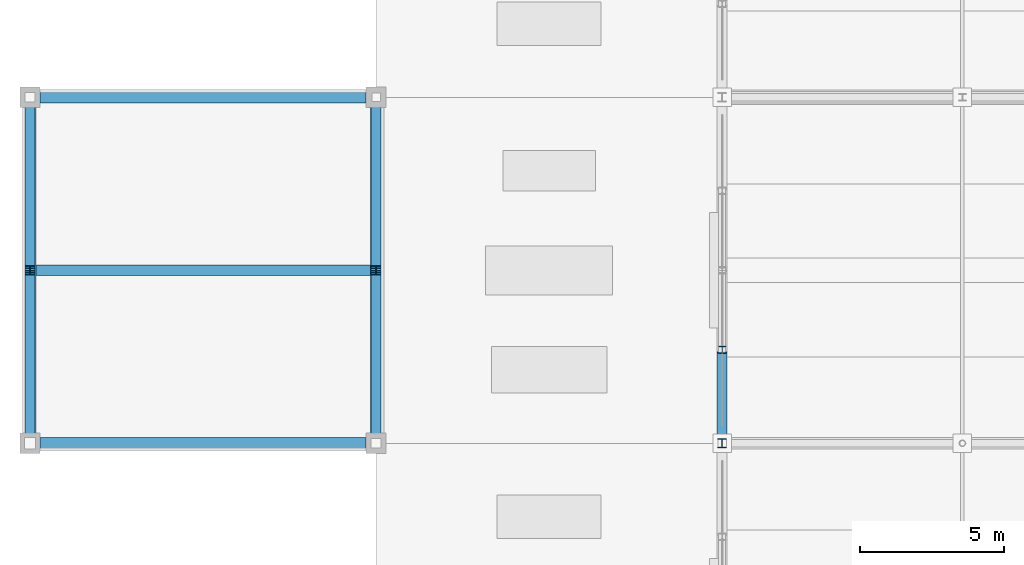
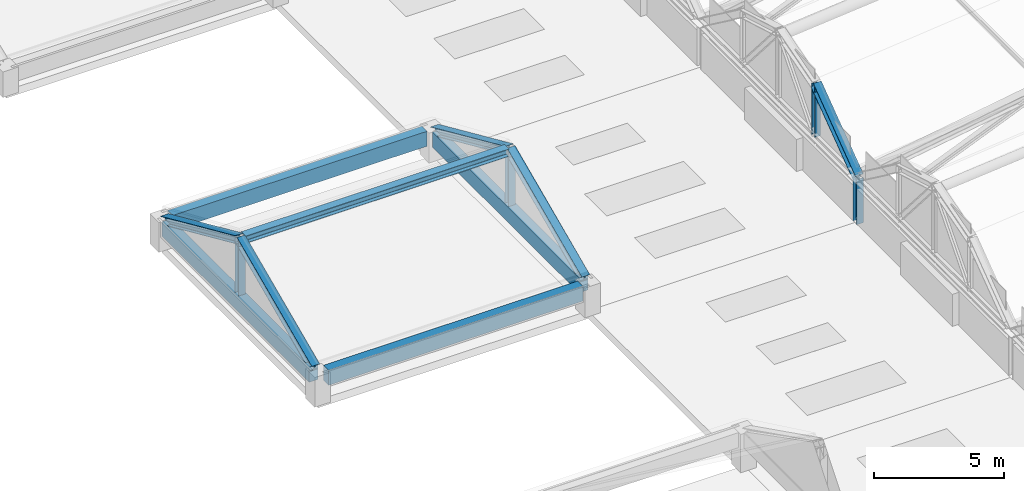
# One storey, part 36 of 117: 10 members, 4 beams.
"""IFC4 building model written with IfcOpenShell, lengths in metres."""

from ifc_helpers import new_model, si_unit, direction, frame, origin, origin_2d, place, context, subcontext, project, spatial, rectangle, i_section, extrude, material, material_profile, profile_set, type_object, element, save


model = new_model("IFC4")

# Units and contexts
model_context = context("Model", 3, precision=1e-05, world=origin(), true_north=direction((0.0, 1.0)))
body_context = subcontext(model_context, "Body", "Model", "MODEL_VIEW")
ifc_project = project(units=[si_unit("LENGTHUNIT", "METRE"), si_unit("AREAUNIT", "SQUARE_METRE"), si_unit("VOLUMEUNIT", "CUBIC_METRE"), si_unit("PLANEANGLEUNIT", "RADIAN"), si_unit("MASSUNIT", "GRAM", prefix="KILO")], contexts=[model_context])

# Site, building, storey
site_placement = place(None, origin())
site = spatial("IfcSite", under=ifc_project, at=site_placement, CompositionType="ELEMENT")
building_placement = place(site_placement, origin())
building = spatial("IfcBuilding", under=site, at=building_placement, Name="Kazenohara Klinker Stadium", CompositionType="ELEMENT")
storey_placement = place(building_placement, frame((0.0, 0.0, 31.199951171875)))
storey = spatial("IfcBuildingStorey", under=building, at=storey_placement, Name="RF", CompositionType="ELEMENT", Elevation=31.199951171875)

# Beams
ifc_material_1 = material(Name="Concrete C40/50", Category="concrete")
ifc_material_profile_1 = material_profile(ifc_material_1, rectangle(XDim=0.39990234375, YDim=0.699951171875, at=origin_2d()), Name="RC-BM-400x700")
ifc_profile_set_1 = profile_set([ifc_material_profile_1], Name="Concrete C40/50")
beam_type = type_object("IfcBeamType", Name="BM-RC04", PredefinedType="BEAM", material=ifc_profile_set_1)
for number, where, z_axis, x_axis, name in (
    (1, (0.35009765625, 108.0, 1.050048828125), (1.0, 0.0, 0.0), (0.0, 1.0, 0.0), "Turret crown eave girder BG04 RF X0-9"),
    (2, (0.35009765625, 120.0, 1.050048828125), (1.0, 0.0, 0.0), (0.0, 1.0, 0.0), "Turret crown eave girder BG04 RF X0-10"),
    (3, (0.0, 108.35009765625, 1.050048828125), (0.0, 1.0, 0.0), (-1.0, 0.0, 0.0), "Turret crown eave girder BG04 RF Y0-9"),
    (4, (12.0, 108.35009765625, 1.050048828125), (0.0, 1.0, 0.0), (-1.0, 0.0, 0.0), "Turret crown eave girder BG04 RF Y1-9"),
):
    element("IfcBeam", number, at=place(storey_placement, frame(where, z_axis=z_axis, x_axis=x_axis)), inside=storey, type_object=beam_type, Name=name, PredefinedType="BEAM", context=body_context, shape_type="SweptSolid", body=[
        extrude(rectangle(XDim=0.39990234375, YDim=0.699951171875, at=origin_2d()), origin(), (0.0, 0.0, 1.0), 11.2998046875),
    ])

# Members
ifc_material_2 = material(Name="Steel S355", Category="steel")
ifc_material_profile_2 = material_profile(ifc_material_2, i_section(OverallWidth=0.35009765625, OverallDepth=0.35009765625, WebThickness=0.011962890625, FlangeThickness=0.01904296875, FilletRadius=0.012939453125, at=origin_2d()), Name="H-350x350x12x19")
ifc_profile_set_2 = profile_set([ifc_material_profile_2], Name="Steel S355")
member_type_1 = type_object("IfcMemberType", Name="MEM-CHD02", PredefinedType="CHORD", material=ifc_profile_set_2)
for number, where, z_axis, x_axis, name in (
    (5, (0.0, 108.25, 1.380126953125), (0.0, 0.912968772049, 0.408029436761), (-1.0, 0.0, 0.0), "Crown gable rafter WBST-09 W South"),
    (6, (0.0, 119.75, 1.380126953125), (0.0, -0.912968772049, 0.408029436761), (1.0, 0.0, 0.0), "Crown gable rafter WBST-09 W North"),
    (7, (12.0, 108.25, 1.380126953125), (0.0, 0.912968772049, 0.408029436761), (-1.0, 0.0, 0.0), "Crown gable rafter WBST-09 E South"),
    (8, (12.0, 119.75, 1.380126953125), (0.0, -0.912968772049, 0.408029436761), (1.0, 0.0, 0.0), "Crown gable rafter WBST-09 E North"),
):
    element("IfcMember", number, at=place(storey_placement, frame(where, z_axis=z_axis, x_axis=x_axis)), inside=storey, type_object=member_type_1, Name=name, PredefinedType="CHORD", context=body_context, shape_type="SweptSolid", body=[
        extrude(i_section(OverallWidth=0.35009765625, OverallDepth=0.35009765625, WebThickness=0.011962890625, FlangeThickness=0.01904296875, FilletRadius=0.012939453125, at=origin_2d()), origin(), (0.0, 0.0, 1.0), 6.298095703125),
    ])
member_1_placement = place(storey_placement, frame((0.14990234375, 114.0, 3.949951171875), z_axis=(1.0, 0.0, 0.0), x_axis=(0.0, 1.0, 0.0)))
element("IfcMember", 9, at=member_1_placement, inside=storey, type_object=member_type_1, Name="Crown ridge beam WBST-09", PredefinedType="CHORD", context=body_context, shape_type="SweptSolid", body=[
    extrude(i_section(OverallWidth=0.35009765625, OverallDepth=0.35009765625, WebThickness=0.011962890625, FlangeThickness=0.01904296875, FilletRadius=0.012939453125, at=origin_2d()), origin(), (0.0, 0.0, 1.0), 11.7001953125),
])
member_2_placement = place(storey_placement, frame((24.0, 108.0, 2.10009765625), z_axis=(0.0, 0.803567919639, 0.595213069856), x_axis=(-1.0, 0.0, 0.0)))
element("IfcMember", 10, at=member_2_placement, inside=storey, type_object=member_type_1, Name="Barrel arch top rib TC02 W-06-N0-S1", PredefinedType="CHORD", context=body_context, shape_type="SweptSolid", body=[
    extrude(i_section(OverallWidth=0.35009765625, OverallDepth=0.35009765625, WebThickness=0.011962890625, FlangeThickness=0.01904296875, FilletRadius=0.012939453125, at=origin_2d()), origin(), (0.0, 0.0, 1.0), 4.031982421875),
])
ifc_material_profile_3 = material_profile(ifc_material_2, i_section(OverallWidth=0.300048828125, OverallDepth=0.300048828125, WebThickness=0.010009765625, FlangeThickness=0.014892578125, FilletRadius=0.012939453125, at=origin_2d()), Name="H-300x300x10x15")
ifc_profile_set_3 = profile_set([ifc_material_profile_3], Name="Steel S355")
member_type_2 = type_object("IfcMemberType", Name="MEM-STR01", PredefinedType="STRUT", material=ifc_profile_set_3)
for number, where, z_axis, x_axis, name in (
    (11, (0.0, 114.0, 1.380126953125), (0.0, 0.0, 1.0), (1.0, 0.0, 0.0), "Crown gable king-post WBST-09 W"),
    (12, (12.0, 114.0, 1.380126953125), (0.0, 0.0, 1.0), (1.0, 0.0, 0.0), "Crown gable king-post WBST-09 E"),
):
    element("IfcMember", number, at=place(storey_placement, frame(where, z_axis=z_axis, x_axis=x_axis)), inside=storey, type_object=member_type_2, Name=name, PredefinedType="STRUT", context=body_context, shape_type="SweptSolid", body=[
        extrude(i_section(OverallWidth=0.300048828125, OverallDepth=0.300048828125, WebThickness=0.010009765625, FlangeThickness=0.014892578125, FilletRadius=0.012939453125, at=origin_2d()), origin(), (0.0, 0.0, 1.0), 2.56982421875),
    ])
member_3_placement = place(storey_placement, frame((24.0, 108.0, -0.02001953125), z_axis=(0.0, 0.0, 1.0), x_axis=(1.0, 0.0, 0.0)))
element("IfcMember", 13, at=member_3_placement, inside=storey, type_object=member_type_2, Name="ROOF TRUSS RT-W06 web post 1", PredefinedType="STRUT", context=body_context, shape_type="SweptSolid", body=[
    extrude(i_section(OverallWidth=0.300048828125, OverallDepth=0.300048828125, WebThickness=0.010009765625, FlangeThickness=0.014892578125, FilletRadius=0.012939453125, at=origin_2d()), origin(), (0.0, 0.0, 1.0), 2.1201171875),
])
ifc_material_profile_4 = material_profile(ifc_material_2, i_section(OverallWidth=0.25, OverallDepth=0.25, WebThickness=0.009033203125, FlangeThickness=0.013916015625, FilletRadius=0.012939453125, at=origin_2d()), Name="H-250x250x9x14")
ifc_profile_set_4 = profile_set([ifc_material_profile_4], Name="Steel S355")
member_type_3 = type_object("IfcMemberType", Name="MEM-STR02", PredefinedType="STRUT", material=ifc_profile_set_4)
member_4_placement = place(storey_placement, frame((24.0, 111.239990234375, 2.10009765625), z_axis=(0.0, 0.0, 1.0), x_axis=(1.0, 0.0, 0.0)))
element("IfcMember", 14, at=member_4_placement, inside=storey, type_object=member_type_3, Name="Barrel arch web post TS02 W-06-N0-P1", PredefinedType="STRUT", context=body_context, shape_type="SweptSolid", body=[
    extrude(i_section(OverallWidth=0.25, OverallDepth=0.25, WebThickness=0.009033203125, FlangeThickness=0.013916015625, FilletRadius=0.012939453125, at=origin_2d()), origin(), (0.0, 0.0, 1.0), 2.39990234375),
])

save(model, "model.ifc")
